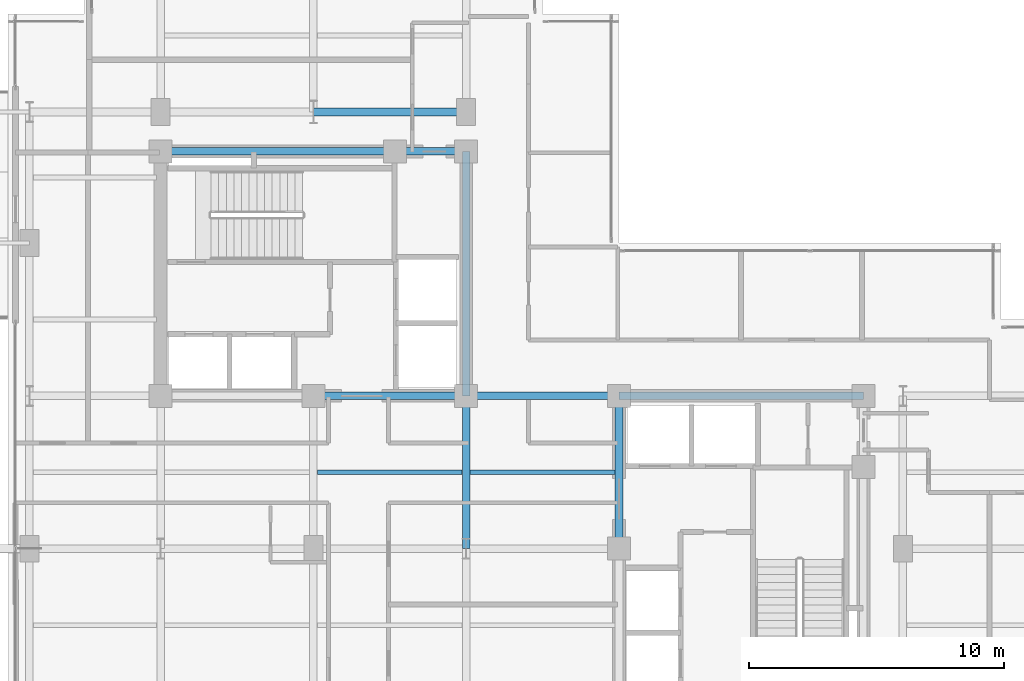
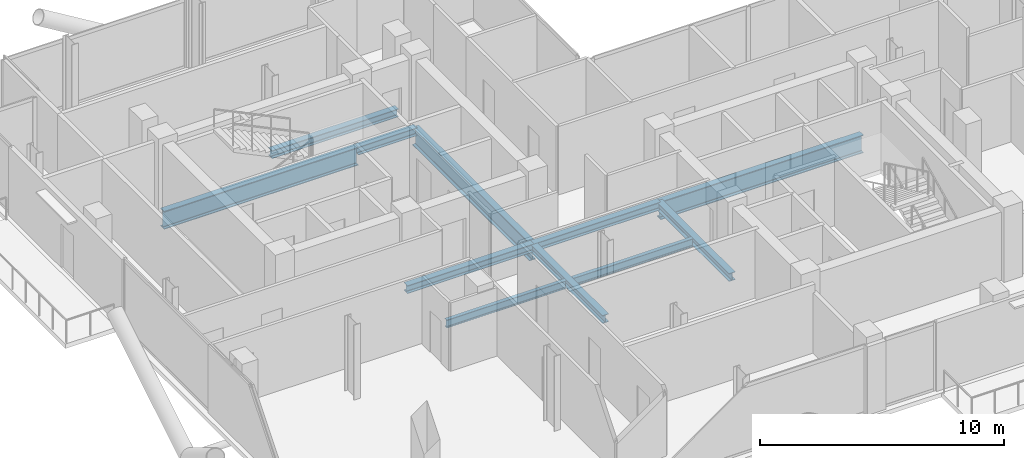
# One storey, part 9 of 25: 11 beams.
"""IFC4 building model written with IfcOpenShell, lengths in metres."""

from ifc_helpers import new_model, si_unit, direction, frame, origin, origin_2d, place, context, subcontext, project, spatial, i_section, extrude, material, material_profile, profile_set, type_object, element, save


model = new_model("IFC4")

# Units and contexts
model_context = context("Model", 3, precision=1e-05, world=origin(), true_north=direction((0.0, 1.0)))
body_context = subcontext(model_context, "Body", "Model", "MODEL_VIEW")
ifc_project = project(units=[si_unit("LENGTHUNIT", "METRE"), si_unit("AREAUNIT", "SQUARE_METRE"), si_unit("VOLUMEUNIT", "CUBIC_METRE"), si_unit("PLANEANGLEUNIT", "RADIAN"), si_unit("MASSUNIT", "GRAM", prefix="KILO"), si_unit("THERMODYNAMICTEMPERATUREUNIT", "KELVIN"), si_unit("POWERUNIT", "WATT")], contexts=[model_context])

# Site, building, storey
site_placement = place(None, origin())
site = spatial("IfcSite", under=ifc_project, at=site_placement, CompositionType="ELEMENT")
building_placement = place(site_placement, origin())
building = spatial("IfcBuilding", under=site, at=building_placement, Name="Svarakhadi Broadcast Tower", CompositionType="ELEMENT")
storey_placement = place(building_placement, frame((0.0, 0.0, 231.14990234375)))
storey = spatial("IfcBuildingStorey", under=building, at=storey_placement, Name="L57", CompositionType="ELEMENT", Elevation=231.14990234375)

# Beams
ifc_material_1 = material(Name="Steel S355J2 (IS 2062 E350C)", Category="steel")
ifc_material_profile_1 = material_profile(ifc_material_1, i_section(OverallWidth=0.179931640625, OverallDepth=0.39990234375, WebThickness=0.008544921875, FlangeThickness=0.013427734375, FilletRadius=0.02099609375, at=origin_2d()), Name="NPB 400x180x66")
ifc_profile_set_1 = profile_set([ifc_material_profile_1], Name="Steel S355J2 (IS 2062 E350C)")
beam_type_1 = type_object("IfcBeamType", Name="Beam_NPB400", PredefinedType="BEAM", material=ifc_profile_set_1)
for number, where, z_axis, x_axis, name in (
    (1, (12.159912109375, 15.0, -0.409912109375), (1.0, 0.0, 0.0), (0.0, 1.0, 0.0), "L57 Secondary Composite Beam SB011"),
    (2, (18.159912109375, 15.0, -0.409912109375), (1.0, 0.0, 0.0), (0.0, 1.0, 0.0), "L57 Secondary Composite Beam SB015"),
):
    element("IfcBeam", number, at=place(storey_placement, frame(where, z_axis=z_axis, x_axis=x_axis)), inside=storey, type_object=beam_type_1, Name=name, PredefinedType="BEAM", context=body_context, shape_type="SweptSolid", body=[
        extrude(i_section(OverallWidth=0.179931640625, OverallDepth=0.39990234375, WebThickness=0.008544921875, FlangeThickness=0.013427734375, FilletRadius=0.02099609375, at=origin_2d()), origin(), (0.0, 0.0, 1.0), 5.68017578125),
    ])
ifc_material_profile_2 = material_profile(ifc_material_1, i_section(OverallWidth=0.300048828125, OverallDepth=0.39990234375, WebThickness=0.013427734375, FlangeThickness=0.02392578125, FilletRadius=0.027099609375, at=origin_2d()), Name="WPB 400x300x155")
ifc_profile_set_2 = profile_set([ifc_material_profile_2], Name="Steel S355J2 (IS 2062 E350C)")
beam_type_2 = type_object("IfcBeamType", Name="Girder_WPB400", PredefinedType="USERDEFINED", material=ifc_profile_set_2)
for number, where, z_axis, x_axis, name in (
    (3, (12.0, 18.0, -0.409912109375), (1.0, 0.0, 0.0), (0.0, 1.0, 0.0), "L57 Primary E-W Girder G022"),
    (4, (18.0, 18.0, -0.409912109375), (1.0, 0.0, 0.0), (0.0, 1.0, 0.0), "L57 Primary E-W Girder G023"),
):
    element("IfcBeam", number, at=place(storey_placement, frame(where, z_axis=z_axis, x_axis=x_axis)), inside=storey, type_object=beam_type_2, Name=name, ObjectType="GIRDER", PredefinedType="USERDEFINED", context=body_context, shape_type="SweptSolid", body=[
        extrude(i_section(OverallWidth=0.300048828125, OverallDepth=0.39990234375, WebThickness=0.013427734375, FlangeThickness=0.02392578125, FilletRadius=0.027099609375, at=origin_2d()), origin(), (0.0, 0.0, 1.0), 6.0),
    ])
beam_1_placement = place(storey_placement, frame((15.199951171875, 27.60009765625, -0.409912109375), z_axis=(1.0, 0.0, 0.0), x_axis=(0.0, 1.0, 0.0)))
element("IfcBeam", 5, at=beam_1_placement, inside=storey, type_object=beam_type_2, Name="L57 Primary E-W Girder G027", ObjectType="GIRDER", PredefinedType="USERDEFINED", context=body_context, shape_type="SweptSolid", body=[
    extrude(i_section(OverallWidth=0.300048828125, OverallDepth=0.39990234375, WebThickness=0.013427734375, FlangeThickness=0.02392578125, FilletRadius=0.027099609375, at=origin_2d()), origin(), (0.0, 0.0, 1.0), 2.800048828125),
])
for number, where, z_axis, x_axis, name in (
    (6, (12.0, 29.14990234375, -0.409912109375), (1.0, 0.0, 0.0), (0.0, 1.0, 0.0), "L57 Primary E-W Girder G030"),
    (7, (18.0, 12.0, -0.409912109375), (0.0, 1.0, 0.0), (-1.0, 0.0, 0.0), "L57 Primary N-S Girder G048"),
    (8, (24.0, 12.0, -0.409912109375), (0.0, 1.0, 0.0), (-1.0, 0.0, 0.0), "L57 Primary N-S Girder G053"),
):
    element("IfcBeam", number, at=place(storey_placement, frame(where, z_axis=z_axis, x_axis=x_axis)), inside=storey, type_object=beam_type_2, Name=name, ObjectType="GIRDER", PredefinedType="USERDEFINED", context=body_context, shape_type="SweptSolid", body=[
        extrude(i_section(OverallWidth=0.300048828125, OverallDepth=0.39990234375, WebThickness=0.013427734375, FlangeThickness=0.02392578125, FilletRadius=0.027099609375, at=origin_2d()), origin(), (0.0, 0.0, 1.0), 6.0),
    ])
ifc_material_2 = material(Name="Steel S460ML (IS 2062 E450BR)", Category="steel")
ifc_material_profile_3 = material_profile(ifc_material_2, i_section(OverallWidth=0.300048828125, OverallDepth=0.89990234375, WebThickness=0.0185546875, FlangeThickness=0.034912109375, FilletRadius=0.030029296875, at=origin_2d()), Name="WPB 900x300x291")
ifc_profile_set_3 = profile_set([ifc_material_profile_3], Name="Steel S460ML (IS 2062 E450BR)")
beam_type_3 = type_object("IfcBeamType", Name="Girder_WPB900", PredefinedType="USERDEFINED", material=ifc_profile_set_3)
beam_2_placement = place(storey_placement, frame((24.0, 18.0, -0.659912109375), z_axis=(1.0, 0.0, 0.0), x_axis=(0.0, 1.0, 0.0)))
element("IfcBeam", 9, at=beam_2_placement, inside=storey, type_object=beam_type_3, Name="L57 Primary E-W Girder G024", ObjectType="GIRDER", PredefinedType="USERDEFINED", context=body_context, shape_type="SweptSolid", body=[
    extrude(i_section(OverallWidth=0.300048828125, OverallDepth=0.89990234375, WebThickness=0.0185546875, FlangeThickness=0.034912109375, FilletRadius=0.030029296875, at=origin_2d()), origin(), (0.0, 0.0, 1.0), 9.60009765625),
])
beam_3_placement = place(storey_placement, frame((6.0, 27.60009765625, -0.659912109375), z_axis=(1.0, 0.0, 0.0), x_axis=(0.0, 1.0, 0.0)))
element("IfcBeam", 10, at=beam_3_placement, inside=storey, type_object=beam_type_3, Name="L57 Primary E-W Girder G026", ObjectType="GIRDER", PredefinedType="USERDEFINED", context=body_context, shape_type="SweptSolid", body=[
    extrude(i_section(OverallWidth=0.300048828125, OverallDepth=0.89990234375, WebThickness=0.0185546875, FlangeThickness=0.034912109375, FilletRadius=0.030029296875, at=origin_2d()), origin(), (0.0, 0.0, 1.0), 9.199951171875),
])
beam_4_placement = place(storey_placement, frame((18.0, 18.0, -0.659912109375), z_axis=(0.0, 1.0, 0.0), x_axis=(-1.0, 0.0, 0.0)))
element("IfcBeam", 11, at=beam_4_placement, inside=storey, type_object=beam_type_3, Name="L57 Primary N-S Girder G049", ObjectType="GIRDER", PredefinedType="USERDEFINED", context=body_context, shape_type="SweptSolid", body=[
    extrude(i_section(OverallWidth=0.300048828125, OverallDepth=0.89990234375, WebThickness=0.0185546875, FlangeThickness=0.034912109375, FilletRadius=0.030029296875, at=origin_2d()), origin(), (0.0, 0.0, 1.0), 9.60009765625),
])

save(model, "model.ifc")
